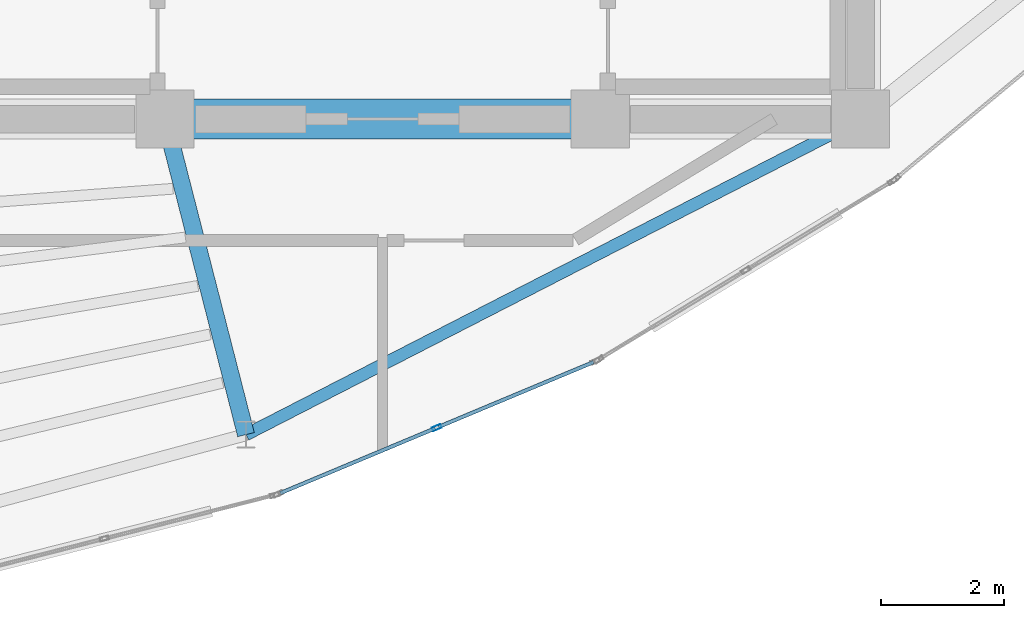
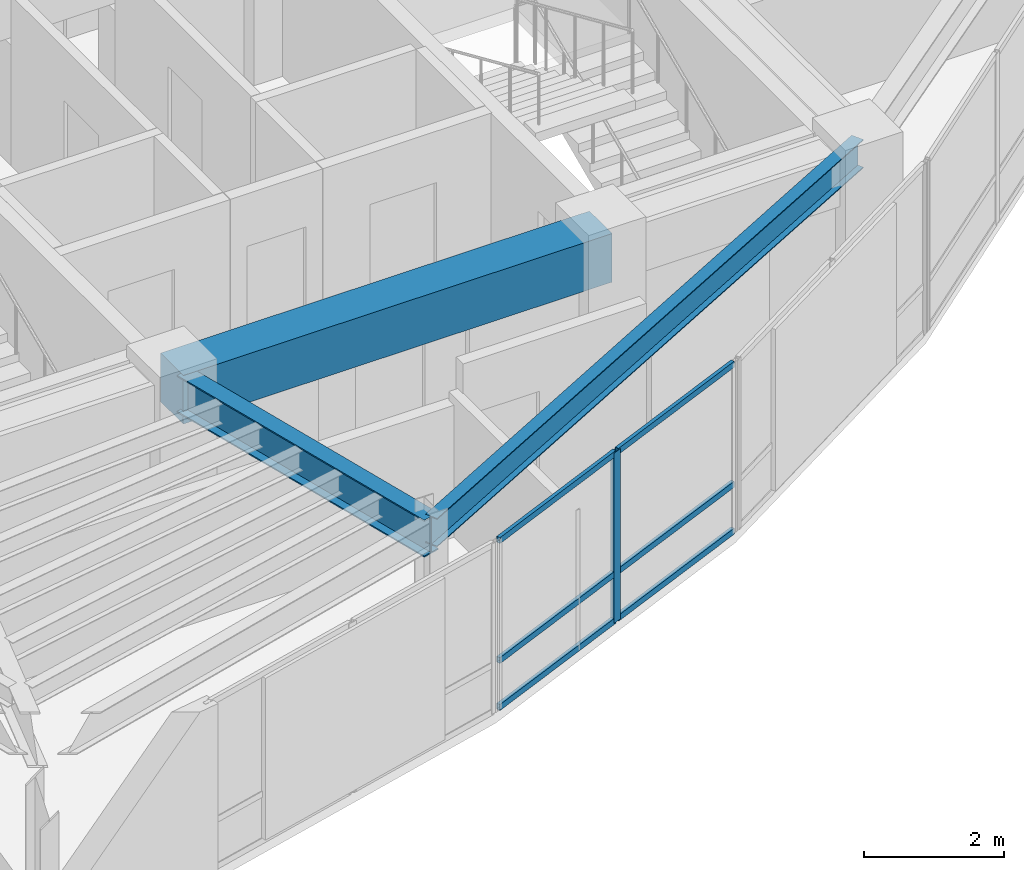
# One storey, part 3 of 14: 7 members, 3 beams, 1 element without a shape of its own.
"""IFC4 building model written with IfcOpenShell, lengths in metres."""

from ifc_helpers import new_model, si_unit, direction, frame, origin, origin_2d, place, context, subcontext, project, spatial, rectangle, hollow_rectangle, i_section, extrude, material, layer, layer_set, material_profile, profile_set, type_object, element, aggregate, save


model = new_model("IFC4")

# Units and contexts
model_context = context("Model", 3, precision=1e-05, world=origin(), true_north=direction((0.0, 1.0)))
body_context = subcontext(model_context, "Body", "Model", "MODEL_VIEW")
ifc_project = project(units=[si_unit("LENGTHUNIT", "METRE"), si_unit("AREAUNIT", "SQUARE_METRE"), si_unit("VOLUMEUNIT", "CUBIC_METRE"), si_unit("PLANEANGLEUNIT", "RADIAN"), si_unit("MASSUNIT", "GRAM", prefix="KILO")], contexts=[model_context])

# Site, building, storey
site_placement = place(None, origin())
site = spatial("IfcSite", under=ifc_project, at=site_placement, CompositionType="ELEMENT")
building_placement = place(site_placement, origin())
building = spatial("IfcBuilding", under=site, at=building_placement, Name="Menara Vayukalpa", CompositionType="ELEMENT")
storey_placement = place(building_placement, frame((0.0, 0.0, 305.6201171875)))
storey = spatial("IfcBuildingStorey", under=building, at=storey_placement, Name="L78", CompositionType="ELEMENT", Elevation=305.6201171875)

# Beams
ifc_material_1 = material(Name="Concrete C60/75", Category="concrete")
ifc_material_profile_1 = material_profile(ifc_material_1, rectangle(XDim=0.64990234375, YDim=0.85009765625, at=origin_2d()), Name="RC 650x850")
ifc_profile_set_1 = profile_set([ifc_material_profile_1], Name="Concrete C60/75")
beam_type_1 = type_object("IfcBeamType", Name="BM-CB1", PredefinedType="BEAM", material=ifc_profile_set_1)
beam_1_placement = place(storey_placement, frame((22.050048828125, 17.199951171875, 2.554931640625), z_axis=(1.0, 0.0, 0.0), x_axis=(0.0, 1.0, 0.0)))
element("IfcBeam", 1, at=beam_1_placement, inside=storey, type_object=beam_type_1, Name="L78 Core Tie Beam CBR2", PredefinedType="BEAM", context=body_context, shape_type="SweptSolid", body=[
    extrude(rectangle(XDim=0.64990234375, YDim=0.85009765625, at=origin_2d()), origin(), (0.0, 0.0, 1.0), 7.099853515625),
])
ifc_material_2 = material(Name="Steel S355", Category="steel")
ifc_material_profile_2 = material_profile(ifc_material_2, i_section(OverallWidth=0.280029296875, OverallDepth=0.64990234375, WebThickness=0.012939453125, FlangeThickness=0.02197265625, at=origin_2d()), Name="WF 650x280x13x22")
ifc_profile_set_2 = profile_set([ifc_material_profile_2], Name="Steel S355")
beam_type_2 = type_object("IfcBeamType", Name="BM-PG6", PredefinedType="BEAM", material=ifc_profile_set_2)
beam_2_placement = place(storey_placement, frame((22.112060546875, 16.957763671875, 2.65478515625), z_axis=(0.248427525231, -0.968650486351, 0.0), x_axis=(0.968650486351, 0.248427525231, 0.0)))
element("IfcBeam", 2, at=beam_2_placement, inside=storey, type_object=beam_type_2, Name="L78 Primary Radial Girder RG08", PredefinedType="BEAM", context=body_context, shape_type="SweptSolid", body=[
    extrude(i_section(OverallWidth=0.280029296875, OverallDepth=0.64990234375, WebThickness=0.012939453125, FlangeThickness=0.02197265625, at=origin_2d()), origin(), (0.0, 0.0, 1.0), 5.066162109375),
])
ifc_material_3 = material(Name="Steel S355", Category="steel")
ifc_material_profile_3 = material_profile(ifc_material_3, i_section(OverallWidth=0.199951171875, OverallDepth=0.5, WebThickness=0.010009765625, FlangeThickness=0.01611328125, at=origin_2d()), Name="WF 500x200x10x16")
ifc_profile_set_3 = profile_set([ifc_material_profile_3], Name="Steel S355")
beam_type_3 = type_object("IfcBeamType", Name="BM-SP3", PredefinedType="SPANDREL", material=ifc_profile_set_3)
beam_3_placement = place(storey_placement, frame((23.37060546875, 12.050537109375, 2.72998046875), z_axis=(0.889594604964, 0.456750959297, 0.0), x_axis=(-0.456750959297, 0.889594604964, 0.0)))
element("IfcBeam", 3, at=beam_3_placement, inside=storey, type_object=beam_type_3, Name="L78 Perimeter Spandrel Beam SP08", PredefinedType="SPANDREL", context=body_context, shape_type="SweptSolid", body=[
    extrude(i_section(OverallWidth=0.199951171875, OverallDepth=0.5, WebThickness=0.010009765625, FlangeThickness=0.01611328125, at=origin_2d()), origin(), (0.0, 0.0, 1.0), 11.27392578125),
])

# Curtain wall, members
ifc_material_4 = material(Name="Anodised Terracotta Aluminium Alloy 6063-T6", Category="masonry")
ifc_layer = layer(ifc_material_4, 0.14990234375)
ifc_layer_set = layer_set([ifc_layer], Name="Anodised Terracotta Aluminium Alloy 6063-T6")
curtain_wall_type = type_object("IfcCurtainWallType", Name="CW-CW7", PredefinedType="USERDEFINED", material=ifc_layer_set)
curtain_wall_placement = place(storey_placement, origin())
curtain_wall = element("IfcCurtainWall", 4, at=curtain_wall_placement, inside=storey, type_object=curtain_wall_type, Name="L78 Crown Drum Screened Curtain Wall CW7 16", ObjectType="UNITISED", PredefinedType="USERDEFINED")
ifc_material_5 = material(Name="Anodised Terracotta Aluminium Alloy 6063-T6", Category="masonry")
ifc_material_profile_4 = material_profile(ifc_material_5, hollow_rectangle(XDim=0.06494140625, YDim=0.14990234375, WallThickness=0.00341796875, at=origin_2d()), Name="ALU 65x150x3.5")
ifc_profile_set_4 = profile_set([ifc_material_profile_4], Name="Anodised Terracotta Aluminium Alloy 6063-T6")
member_type_1 = type_object("IfcMemberType", Name="CWM-CW7", PredefinedType="MULLION", material=ifc_profile_set_4)
member_1_placement = place(storey_placement, frame((26.48583984375, 12.16455078125, 0.0), z_axis=(0.0, 0.0, 1.0), x_axis=(-0.385898361946, 0.922541302191, 0.0)))
member_1 = element("IfcMember", 5, at=member_1_placement, type_object=member_type_1, Name="CW7 mullion 2", PredefinedType="MULLION", context=body_context, shape_type="SweptSolid", body=[
    extrude(hollow_rectangle(XDim=0.06494140625, YDim=0.14990234375, WallThickness=0.00341796875, at=origin_2d()), origin(), (0.0, 0.0, 1.0), 2.97998046875),
])
ifc_material_6 = material(Name="Anodised Terracotta Aluminium Alloy 6063-T6", Category="masonry")
ifc_material_profile_5 = material_profile(ifc_material_6, hollow_rectangle(XDim=0.06005859375, YDim=0.10498046875, WallThickness=0.0029296875, at=origin_2d()), Name="ALU 60x105x3")
ifc_profile_set_5 = profile_set([ifc_material_profile_5], Name="Anodised Terracotta Aluminium Alloy 6063-T6")
member_type_2 = type_object("IfcMemberType", Name="CWT-CW7", PredefinedType="USERDEFINED", material=ifc_profile_set_5)
member_2_placement = place(storey_placement, frame((23.929931640625, 11.095458984375, 0.02978515625), z_axis=(0.922532551431, 0.385919281132, 0.0), x_axis=(-0.385919281132, 0.922532551431, 0.0)))
member_2 = element("IfcMember", 6, at=member_2_placement, type_object=member_type_2, Name="CW7 transom 1.1", ObjectType="TRANSOM", PredefinedType="USERDEFINED", context=body_context, shape_type="SweptSolid", body=[
    extrude(hollow_rectangle(XDim=0.06005859375, YDim=0.10498046875, WallThickness=0.0029296875, at=origin_2d()), origin(), (0.0, 0.0, 1.0), 2.738037109375),
])
member_3_placement = place(storey_placement, frame((23.929931640625, 11.095458984375, 0.849853515625), z_axis=(0.922532551431, 0.385919281132, 0.0), x_axis=(-0.385919281132, 0.922532551431, 0.0)))
member_3 = element("IfcMember", 7, at=member_3_placement, type_object=member_type_2, Name="CW7 transom 1.2", ObjectType="TRANSOM", PredefinedType="USERDEFINED", context=body_context, shape_type="SweptSolid", body=[
    extrude(hollow_rectangle(XDim=0.06005859375, YDim=0.10498046875, WallThickness=0.0029296875, at=origin_2d()), origin(), (0.0, 0.0, 1.0), 2.738037109375),
])
member_4_placement = place(storey_placement, frame((23.929931640625, 11.095458984375, 2.949951171875), z_axis=(0.922532551431, 0.385919281132, 0.0), x_axis=(-0.385919281132, 0.922532551431, 0.0)))
member_4 = element("IfcMember", 8, at=member_4_placement, type_object=member_type_2, Name="CW7 transom 1.3", ObjectType="TRANSOM", PredefinedType="USERDEFINED", context=body_context, shape_type="SweptSolid", body=[
    extrude(hollow_rectangle(XDim=0.06005859375, YDim=0.10498046875, WallThickness=0.0029296875, at=origin_2d()), origin(), (0.0, 0.0, 1.0), 2.738037109375),
])
member_5_placement = place(storey_placement, frame((26.515869140625, 12.17724609375, 0.02978515625), z_axis=(0.922532551431, 0.385919281132, 0.0), x_axis=(-0.385919281132, 0.922532551431, 0.0)))
member_5 = element("IfcMember", 9, at=member_5_placement, type_object=member_type_2, Name="CW7 transom 2.1", ObjectType="TRANSOM", PredefinedType="USERDEFINED", context=body_context, shape_type="SweptSolid", body=[
    extrude(hollow_rectangle(XDim=0.06005859375, YDim=0.10498046875, WallThickness=0.0029296875, at=origin_2d()), origin(), (0.0, 0.0, 1.0), 2.738037109375),
])
member_6_placement = place(storey_placement, frame((26.515869140625, 12.17724609375, 0.849853515625), z_axis=(0.922532551431, 0.385919281132, 0.0), x_axis=(-0.385919281132, 0.922532551431, 0.0)))
member_6 = element("IfcMember", 10, at=member_6_placement, type_object=member_type_2, Name="CW7 transom 2.2", ObjectType="TRANSOM", PredefinedType="USERDEFINED", context=body_context, shape_type="SweptSolid", body=[
    extrude(hollow_rectangle(XDim=0.06005859375, YDim=0.10498046875, WallThickness=0.0029296875, at=origin_2d()), origin(), (0.0, 0.0, 1.0), 2.738037109375),
])
member_7_placement = place(storey_placement, frame((26.515869140625, 12.17724609375, 2.949951171875), z_axis=(0.922532551431, 0.385919281132, 0.0), x_axis=(-0.385919281132, 0.922532551431, 0.0)))
member_7 = element("IfcMember", 11, at=member_7_placement, type_object=member_type_2, Name="CW7 transom 2.3", ObjectType="TRANSOM", PredefinedType="USERDEFINED", context=body_context, shape_type="SweptSolid", body=[
    extrude(hollow_rectangle(XDim=0.06005859375, YDim=0.10498046875, WallThickness=0.0029296875, at=origin_2d()), origin(), (0.0, 0.0, 1.0), 2.738037109375),
])
aggregate(curtain_wall, [member_1, member_2, member_3, member_4, member_5, member_6, member_7])

save(model, "model.ifc")
